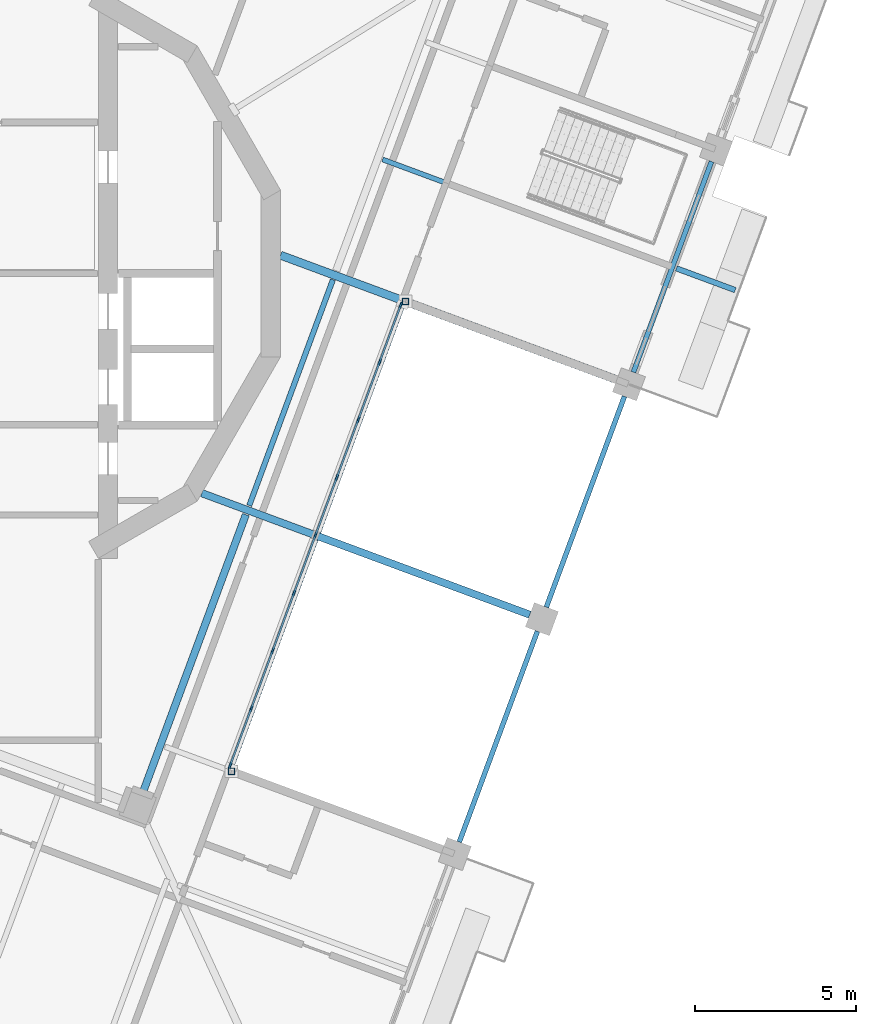
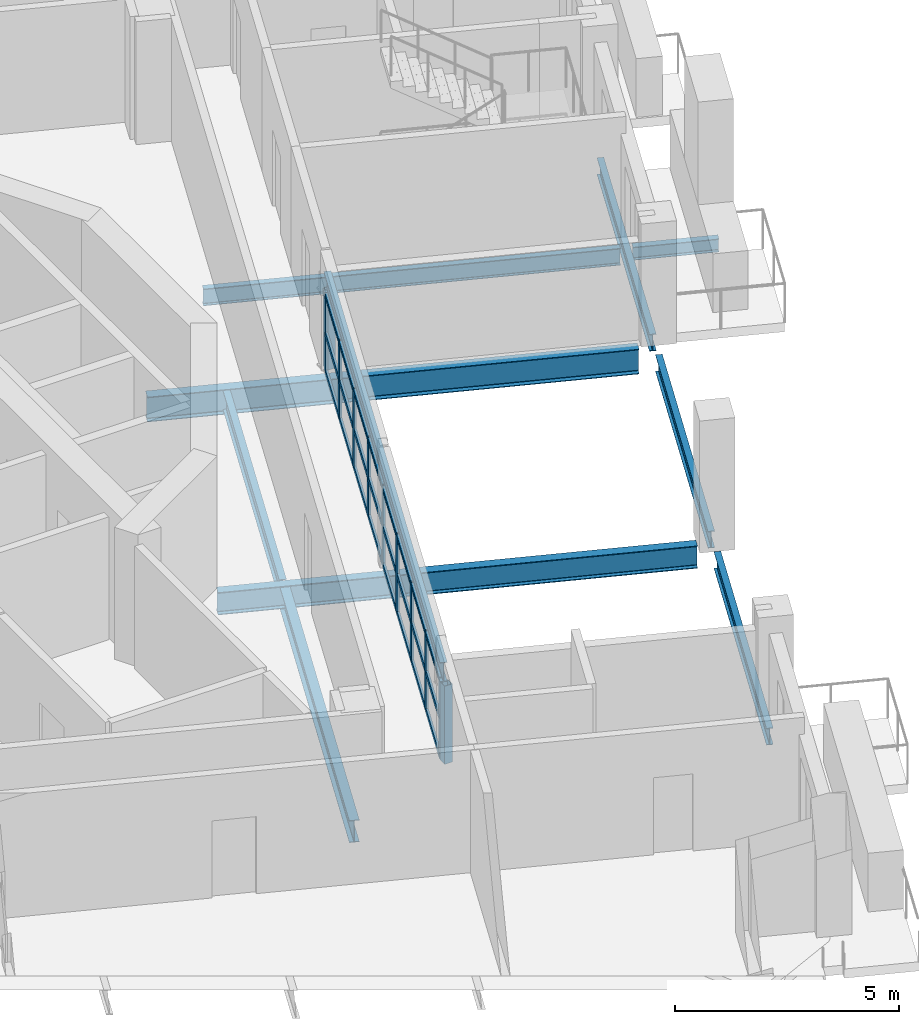
# One storey, part 2 of 19: 35 members, 10 beams, 1 element without a shape of its own.
"""IFC4 building model written with IfcOpenShell, lengths in metres."""

from ifc_helpers import new_model, si_unit, direction, frame, origin, origin_2d, place, context, subcontext, project, spatial, rectangle, hollow_rectangle, i_section, extrude, material, material_profile, profile_set, type_object, element, aggregate, save


model = new_model("IFC4")

# Units and contexts
model_context = context("Model", 3, precision=1e-05, world=origin(), true_north=direction((0.0, 1.0)))
body_context = subcontext(model_context, "Body", "Model", "MODEL_VIEW")
ifc_project = project(units=[si_unit("LENGTHUNIT", "METRE"), si_unit("AREAUNIT", "SQUARE_METRE"), si_unit("VOLUMEUNIT", "CUBIC_METRE"), si_unit("PLANEANGLEUNIT", "RADIAN"), si_unit("MASSUNIT", "GRAM", prefix="KILO")], contexts=[model_context])

# Site, building, storey
site_placement = place(None, origin())
site = spatial("IfcSite", under=ifc_project, at=site_placement, CompositionType="ELEMENT")
building_placement = place(site_placement, origin())
building = spatial("IfcBuilding", under=site, at=building_placement, Name="Cantera Rosa Tower", CompositionType="ELEMENT")
storey_placement = place(building_placement, frame((0.0, 0.0, 331.300048828125)))
storey = spatial("IfcBuildingStorey", under=building, at=storey_placement, Name="L74", CompositionType="ELEMENT", Elevation=331.300048828125)

# Curtain wall, members
ifc_material_1 = material(Name="Aluminium frame with clear glass", Category="aluminium")
curtain_wall_type = type_object("IfcCurtainWallType", Name="CW1 TERRACE POCKET GLAZING", PredefinedType="NOTDEFINED", material=ifc_material_1)
curtain_wall_placement = place(storey_placement, origin())
curtain_wall = element("IfcCurtainWall", 1, at=curtain_wall_placement, inside=storey, type_object=curtain_wall_type, Name="CW1 CW1", PredefinedType="NOTDEFINED")
ifc_material_2 = material(Name="Anodised bronze aluminium", Category="aluminium")
ifc_material_profile_1 = material_profile(ifc_material_2, rectangle(XDim=0.06005859375, YDim=0.179931640625, at=origin_2d()), Name="CW-MULLION 60x180 POCKET")
ifc_profile_set_1 = profile_set([ifc_material_profile_1], Name="Anodised bronze aluminium")
member_type_1 = type_object("IfcMemberType", Name="CW-MULLION 60x180 POCKET", PredefinedType="MULLION", material=ifc_profile_set_1)
member_1_placement = place(storey_placement, frame((8.094970703125, -15.280029296875, 0.0), z_axis=(0.0, 0.0, 1.0), x_axis=(-0.93768693693, 0.347481234472, 0.0)))
member_1 = element("IfcMember", 2, at=member_1_placement, type_object=member_type_1, Name="CW1 mullion 1", PredefinedType="MULLION", context=body_context, shape_type="SweptSolid", body=[
    extrude(rectangle(XDim=0.06005859375, YDim=0.179931640625, at=origin_2d()), origin(), (0.0, 0.0, 1.0), 2.1279296875),
])
member_2_placement = place(storey_placement, frame((8.74951171875, -13.513671875, 0.0), z_axis=(0.0, 0.0, 1.0), x_axis=(-0.93768693693, 0.347481234472, 0.0)))
member_2 = element("IfcMember", 3, at=member_2_placement, type_object=member_type_1, Name="CW1 mullion 2", PredefinedType="MULLION", context=body_context, shape_type="SweptSolid", body=[
    extrude(rectangle(XDim=0.06005859375, YDim=0.179931640625, at=origin_2d()), origin(), (0.0, 0.0, 1.0), 2.1279296875),
])
member_3_placement = place(storey_placement, frame((9.41455078125, -11.718994140625, 0.0), z_axis=(0.0, 0.0, 1.0), x_axis=(-0.93768693693, 0.347481234472, 0.0)))
member_3 = element("IfcMember", 4, at=member_3_placement, type_object=member_type_1, Name="CW1 mullion 3", PredefinedType="MULLION", context=body_context, shape_type="SweptSolid", body=[
    extrude(rectangle(XDim=0.06005859375, YDim=0.179931640625, at=origin_2d()), origin(), (0.0, 0.0, 1.0), 2.1279296875),
])
member_4_placement = place(storey_placement, frame((10.079345703125, -9.924560546875, 0.0), z_axis=(0.0, 0.0, 1.0), x_axis=(-0.93768693693, 0.347481234472, 0.0)))
member_4 = element("IfcMember", 5, at=member_4_placement, type_object=member_type_1, Name="CW1 mullion 4", PredefinedType="MULLION", context=body_context, shape_type="SweptSolid", body=[
    extrude(rectangle(XDim=0.06005859375, YDim=0.179931640625, at=origin_2d()), origin(), (0.0, 0.0, 1.0), 2.1279296875),
])
member_5_placement = place(storey_placement, frame((10.744384765625, -8.130126953125, 0.0), z_axis=(0.0, 0.0, 1.0), x_axis=(-0.93768693693, 0.347481234472, 0.0)))
member_5 = element("IfcMember", 6, at=member_5_placement, type_object=member_type_1, Name="CW1 mullion 5", PredefinedType="MULLION", context=body_context, shape_type="SweptSolid", body=[
    extrude(rectangle(XDim=0.06005859375, YDim=0.179931640625, at=origin_2d()), origin(), (0.0, 0.0, 1.0), 2.1279296875),
])
member_6_placement = place(storey_placement, frame((11.409423828125, -6.335693359375, 0.0), z_axis=(0.0, 0.0, 1.0), x_axis=(-0.93768693693, 0.347481234472, 0.0)))
member_6 = element("IfcMember", 7, at=member_6_placement, type_object=member_type_1, Name="CW1 mullion 6", PredefinedType="MULLION", context=body_context, shape_type="SweptSolid", body=[
    extrude(rectangle(XDim=0.06005859375, YDim=0.179931640625, at=origin_2d()), origin(), (0.0, 0.0, 1.0), 2.1279296875),
])
member_7_placement = place(storey_placement, frame((12.074462890625, -4.541015625, 0.0), z_axis=(0.0, 0.0, 1.0), x_axis=(-0.93768693693, 0.347481234472, 0.0)))
member_7 = element("IfcMember", 8, at=member_7_placement, type_object=member_type_1, Name="CW1 mullion 7", PredefinedType="MULLION", context=body_context, shape_type="SweptSolid", body=[
    extrude(rectangle(XDim=0.06005859375, YDim=0.179931640625, at=origin_2d()), origin(), (0.0, 0.0, 1.0), 2.1279296875),
])
member_8_placement = place(storey_placement, frame((12.739501953125, -2.74658203125, 0.0), z_axis=(0.0, 0.0, 1.0), x_axis=(-0.93768693693, 0.347481234472, 0.0)))
member_8 = element("IfcMember", 9, at=member_8_placement, type_object=member_type_1, Name="CW1 mullion 8", PredefinedType="MULLION", context=body_context, shape_type="SweptSolid", body=[
    extrude(rectangle(XDim=0.06005859375, YDim=0.179931640625, at=origin_2d()), origin(), (0.0, 0.0, 1.0), 2.1279296875),
])
member_9_placement = place(storey_placement, frame((13.39404296875, -0.980224609375, 0.0), z_axis=(0.0, 0.0, 1.0), x_axis=(-0.93768693693, 0.347481234472, 0.0)))
member_9 = element("IfcMember", 10, at=member_9_placement, type_object=member_type_1, Name="CW1 mullion 9", PredefinedType="MULLION", context=body_context, shape_type="SweptSolid", body=[
    extrude(rectangle(XDim=0.06005859375, YDim=0.179931640625, at=origin_2d()), origin(), (0.0, 0.0, 1.0), 2.1279296875),
])
ifc_material_3 = material(Name="Anodised bronze aluminium", Category="aluminium")
ifc_material_profile_2 = material_profile(ifc_material_3, rectangle(XDim=0.06005859375, YDim=0.139892578125, at=origin_2d()), Name="CW-TRANSOM 60x140 POCKET")
ifc_profile_set_2 = profile_set([ifc_material_profile_2], Name="Anodised bronze aluminium")
member_type_2 = type_object("IfcMemberType", Name="CW-TRANSOM 60x140 POCKET", PredefinedType="USERDEFINED", material=ifc_profile_set_2)
member_10_placement = place(storey_placement, frame((8.105224609375, -15.251953125, 0.030029296875), z_axis=(0.347497456421, 0.937680925358, 0.0), x_axis=(-0.937680925358, 0.347497456421, 0.0)))
member_10 = element("IfcMember", 11, at=member_10_placement, type_object=member_type_2, Name="CW1 transom 1.1", ObjectType="TRANSOM", PredefinedType="USERDEFINED", context=body_context, shape_type="SweptSolid", body=[
    extrude(rectangle(XDim=0.06005859375, YDim=0.139892578125, at=origin_2d()), origin(), (0.0, 0.0, 1.0), 1.823974609375),
])
member_11_placement = place(storey_placement, frame((8.105224609375, -15.251953125, 1.06396484375), z_axis=(0.347497456421, 0.937680925358, 0.0), x_axis=(-0.937680925358, 0.347497456421, 0.0)))
member_11 = element("IfcMember", 12, at=member_11_placement, type_object=member_type_2, Name="CW1 transom 1.2", ObjectType="TRANSOM", PredefinedType="USERDEFINED", context=body_context, shape_type="SweptSolid", body=[
    extrude(rectangle(XDim=0.06005859375, YDim=0.139892578125, at=origin_2d()), origin(), (0.0, 0.0, 1.0), 1.823974609375),
])
member_12_placement = place(storey_placement, frame((8.105224609375, -15.251953125, 2.097900390625), z_axis=(0.347497456421, 0.937680925358, 0.0), x_axis=(-0.937680925358, 0.347497456421, 0.0)))
member_12 = element("IfcMember", 13, at=member_12_placement, type_object=member_type_2, Name="CW1 transom 1.3", ObjectType="TRANSOM", PredefinedType="USERDEFINED", context=body_context, shape_type="SweptSolid", body=[
    extrude(rectangle(XDim=0.06005859375, YDim=0.139892578125, at=origin_2d()), origin(), (0.0, 0.0, 1.0), 1.823974609375),
])
member_13_placement = place(storey_placement, frame((8.760009765625, -13.485595703125, 0.030029296875), z_axis=(0.347425877782, 0.937707448753, 0.0), x_axis=(-0.937707448753, 0.347425877782, 0.0)))
member_13 = element("IfcMember", 14, at=member_13_placement, type_object=member_type_2, Name="CW1 transom 2.1", ObjectType="TRANSOM", PredefinedType="USERDEFINED", context=body_context, shape_type="SweptSolid", body=[
    extrude(rectangle(XDim=0.06005859375, YDim=0.139892578125, at=origin_2d()), origin(), (0.0, 0.0, 1.0), 1.853759765625),
])
member_14_placement = place(storey_placement, frame((8.760009765625, -13.485595703125, 1.06396484375), z_axis=(0.347425877782, 0.937707448753, 0.0), x_axis=(-0.937707448753, 0.347425877782, 0.0)))
member_14 = element("IfcMember", 15, at=member_14_placement, type_object=member_type_2, Name="CW1 transom 2.2", ObjectType="TRANSOM", PredefinedType="USERDEFINED", context=body_context, shape_type="SweptSolid", body=[
    extrude(rectangle(XDim=0.06005859375, YDim=0.139892578125, at=origin_2d()), origin(), (0.0, 0.0, 1.0), 1.853759765625),
])
member_15_placement = place(storey_placement, frame((8.760009765625, -13.485595703125, 2.097900390625), z_axis=(0.347425877782, 0.937707448753, 0.0), x_axis=(-0.937707448753, 0.347425877782, 0.0)))
member_15 = element("IfcMember", 16, at=member_15_placement, type_object=member_type_2, Name="CW1 transom 2.3", ObjectType="TRANSOM", PredefinedType="USERDEFINED", context=body_context, shape_type="SweptSolid", body=[
    extrude(rectangle(XDim=0.06005859375, YDim=0.139892578125, at=origin_2d()), origin(), (0.0, 0.0, 1.0), 1.853759765625),
])
member_16_placement = place(storey_placement, frame((9.4248046875, -11.69091796875, 0.030029296875), z_axis=(0.347541673446, 0.937664537678, 0.0), x_axis=(-0.937664537678, 0.347541673446, 0.0)))
member_16 = element("IfcMember", 17, at=member_16_placement, type_object=member_type_2, Name="CW1 transom 3.1", ObjectType="TRANSOM", PredefinedType="USERDEFINED", context=body_context, shape_type="SweptSolid", body=[
    extrude(rectangle(XDim=0.06005859375, YDim=0.139892578125, at=origin_2d()), origin(), (0.0, 0.0, 1.0), 1.853759765625),
])
member_17_placement = place(storey_placement, frame((9.4248046875, -11.69091796875, 1.06396484375), z_axis=(0.347541673446, 0.937664537678, 0.0), x_axis=(-0.937664537678, 0.347541673446, 0.0)))
member_17 = element("IfcMember", 18, at=member_17_placement, type_object=member_type_2, Name="CW1 transom 3.2", ObjectType="TRANSOM", PredefinedType="USERDEFINED", context=body_context, shape_type="SweptSolid", body=[
    extrude(rectangle(XDim=0.06005859375, YDim=0.139892578125, at=origin_2d()), origin(), (0.0, 0.0, 1.0), 1.853759765625),
])
member_18_placement = place(storey_placement, frame((9.4248046875, -11.69091796875, 2.097900390625), z_axis=(0.347541673446, 0.937664537678, 0.0), x_axis=(-0.937664537678, 0.347541673446, 0.0)))
member_18 = element("IfcMember", 19, at=member_18_placement, type_object=member_type_2, Name="CW1 transom 3.3", ObjectType="TRANSOM", PredefinedType="USERDEFINED", context=body_context, shape_type="SweptSolid", body=[
    extrude(rectangle(XDim=0.06005859375, YDim=0.139892578125, at=origin_2d()), origin(), (0.0, 0.0, 1.0), 1.853759765625),
])
member_19_placement = place(storey_placement, frame((10.08984375, -9.896484375, 0.030029296875), z_axis=(0.347541673446, 0.937664537678, 0.0), x_axis=(-0.937664537678, 0.347541673446, 0.0)))
member_19 = element("IfcMember", 20, at=member_19_placement, type_object=member_type_2, Name="CW1 transom 4.1", ObjectType="TRANSOM", PredefinedType="USERDEFINED", context=body_context, shape_type="SweptSolid", body=[
    extrude(rectangle(XDim=0.06005859375, YDim=0.139892578125, at=origin_2d()), origin(), (0.0, 0.0, 1.0), 1.853759765625),
])
member_20_placement = place(storey_placement, frame((10.08984375, -9.896484375, 1.06396484375), z_axis=(0.347541673446, 0.937664537678, 0.0), x_axis=(-0.937664537678, 0.347541673446, 0.0)))
member_20 = element("IfcMember", 21, at=member_20_placement, type_object=member_type_2, Name="CW1 transom 4.2", ObjectType="TRANSOM", PredefinedType="USERDEFINED", context=body_context, shape_type="SweptSolid", body=[
    extrude(rectangle(XDim=0.06005859375, YDim=0.139892578125, at=origin_2d()), origin(), (0.0, 0.0, 1.0), 1.853759765625),
])
member_21_placement = place(storey_placement, frame((10.08984375, -9.896484375, 2.097900390625), z_axis=(0.347541673446, 0.937664537678, 0.0), x_axis=(-0.937664537678, 0.347541673446, 0.0)))
member_21 = element("IfcMember", 22, at=member_21_placement, type_object=member_type_2, Name="CW1 transom 4.3", ObjectType="TRANSOM", PredefinedType="USERDEFINED", context=body_context, shape_type="SweptSolid", body=[
    extrude(rectangle(XDim=0.06005859375, YDim=0.139892578125, at=origin_2d()), origin(), (0.0, 0.0, 1.0), 1.853759765625),
])
member_22_placement = place(storey_placement, frame((10.7548828125, -8.10205078125, 0.030029296875), z_axis=(0.347425877782, 0.937707448753, 0.0), x_axis=(-0.937707448753, 0.347425877782, 0.0)))
member_22 = element("IfcMember", 23, at=member_22_placement, type_object=member_type_2, Name="CW1 transom 5.1", ObjectType="TRANSOM", PredefinedType="USERDEFINED", context=body_context, shape_type="SweptSolid", body=[
    extrude(rectangle(XDim=0.06005859375, YDim=0.139892578125, at=origin_2d()), origin(), (0.0, 0.0, 1.0), 1.853759765625),
])
member_23_placement = place(storey_placement, frame((10.7548828125, -8.10205078125, 1.06396484375), z_axis=(0.347425877782, 0.937707448753, 0.0), x_axis=(-0.937707448753, 0.347425877782, 0.0)))
member_23 = element("IfcMember", 24, at=member_23_placement, type_object=member_type_2, Name="CW1 transom 5.2", ObjectType="TRANSOM", PredefinedType="USERDEFINED", context=body_context, shape_type="SweptSolid", body=[
    extrude(rectangle(XDim=0.06005859375, YDim=0.139892578125, at=origin_2d()), origin(), (0.0, 0.0, 1.0), 1.853759765625),
])
member_24_placement = place(storey_placement, frame((10.7548828125, -8.10205078125, 2.097900390625), z_axis=(0.347425877782, 0.937707448753, 0.0), x_axis=(-0.937707448753, 0.347425877782, 0.0)))
member_24 = element("IfcMember", 25, at=member_24_placement, type_object=member_type_2, Name="CW1 transom 5.3", ObjectType="TRANSOM", PredefinedType="USERDEFINED", context=body_context, shape_type="SweptSolid", body=[
    extrude(rectangle(XDim=0.06005859375, YDim=0.139892578125, at=origin_2d()), origin(), (0.0, 0.0, 1.0), 1.853759765625),
])
member_25_placement = place(storey_placement, frame((11.419921875, -6.307373046875, 0.030029296875), z_axis=(0.347468788607, 0.937691548935, 0.0), x_axis=(-0.937691548935, 0.347468788607, 0.0)))
member_25 = element("IfcMember", 26, at=member_25_placement, type_object=member_type_2, Name="CW1 transom 6.1", ObjectType="TRANSOM", PredefinedType="USERDEFINED", context=body_context, shape_type="SweptSolid", body=[
    extrude(rectangle(XDim=0.06005859375, YDim=0.139892578125, at=origin_2d()), origin(), (0.0, 0.0, 1.0), 1.853515625),
])
member_26_placement = place(storey_placement, frame((11.419921875, -6.307373046875, 1.06396484375), z_axis=(0.347468788607, 0.937691548935, 0.0), x_axis=(-0.937691548935, 0.347468788607, 0.0)))
member_26 = element("IfcMember", 27, at=member_26_placement, type_object=member_type_2, Name="CW1 transom 6.2", ObjectType="TRANSOM", PredefinedType="USERDEFINED", context=body_context, shape_type="SweptSolid", body=[
    extrude(rectangle(XDim=0.06005859375, YDim=0.139892578125, at=origin_2d()), origin(), (0.0, 0.0, 1.0), 1.853515625),
])
member_27_placement = place(storey_placement, frame((11.419921875, -6.307373046875, 2.097900390625), z_axis=(0.347468788607, 0.937691548935, 0.0), x_axis=(-0.937691548935, 0.347468788607, 0.0)))
member_27 = element("IfcMember", 28, at=member_27_placement, type_object=member_type_2, Name="CW1 transom 6.3", ObjectType="TRANSOM", PredefinedType="USERDEFINED", context=body_context, shape_type="SweptSolid", body=[
    extrude(rectangle(XDim=0.06005859375, YDim=0.139892578125, at=origin_2d()), origin(), (0.0, 0.0, 1.0), 1.853515625),
])
member_28_placement = place(storey_placement, frame((12.0849609375, -4.512939453125, 0.030029296875), z_axis=(0.347425877782, 0.937707448753, 0.0), x_axis=(-0.937707448753, 0.347425877782, 0.0)))
member_28 = element("IfcMember", 29, at=member_28_placement, type_object=member_type_2, Name="CW1 transom 7.1", ObjectType="TRANSOM", PredefinedType="USERDEFINED", context=body_context, shape_type="SweptSolid", body=[
    extrude(rectangle(XDim=0.06005859375, YDim=0.139892578125, at=origin_2d()), origin(), (0.0, 0.0, 1.0), 1.853759765625),
])
member_29_placement = place(storey_placement, frame((12.0849609375, -4.512939453125, 1.06396484375), z_axis=(0.347425877782, 0.937707448753, 0.0), x_axis=(-0.937707448753, 0.347425877782, 0.0)))
member_29 = element("IfcMember", 30, at=member_29_placement, type_object=member_type_2, Name="CW1 transom 7.2", ObjectType="TRANSOM", PredefinedType="USERDEFINED", context=body_context, shape_type="SweptSolid", body=[
    extrude(rectangle(XDim=0.06005859375, YDim=0.139892578125, at=origin_2d()), origin(), (0.0, 0.0, 1.0), 1.853759765625),
])
member_30_placement = place(storey_placement, frame((12.0849609375, -4.512939453125, 2.097900390625), z_axis=(0.347425877782, 0.937707448753, 0.0), x_axis=(-0.937707448753, 0.347425877782, 0.0)))
member_30 = element("IfcMember", 31, at=member_30_placement, type_object=member_type_2, Name="CW1 transom 7.3", ObjectType="TRANSOM", PredefinedType="USERDEFINED", context=body_context, shape_type="SweptSolid", body=[
    extrude(rectangle(XDim=0.06005859375, YDim=0.139892578125, at=origin_2d()), origin(), (0.0, 0.0, 1.0), 1.853759765625),
])
member_31_placement = place(storey_placement, frame((12.749755859375, -2.718505859375, 0.030029296875), z_axis=(0.347497456421, 0.937680925358, 0.0), x_axis=(-0.937680925358, 0.347497456421, 0.0)))
member_31 = element("IfcMember", 32, at=member_31_placement, type_object=member_type_2, Name="CW1 transom 8.1", ObjectType="TRANSOM", PredefinedType="USERDEFINED", context=body_context, shape_type="SweptSolid", body=[
    extrude(rectangle(XDim=0.06005859375, YDim=0.139892578125, at=origin_2d()), origin(), (0.0, 0.0, 1.0), 1.823974609375),
])
member_32_placement = place(storey_placement, frame((12.749755859375, -2.718505859375, 1.06396484375), z_axis=(0.347497456421, 0.937680925358, 0.0), x_axis=(-0.937680925358, 0.347497456421, 0.0)))
member_32 = element("IfcMember", 33, at=member_32_placement, type_object=member_type_2, Name="CW1 transom 8.2", ObjectType="TRANSOM", PredefinedType="USERDEFINED", context=body_context, shape_type="SweptSolid", body=[
    extrude(rectangle(XDim=0.06005859375, YDim=0.139892578125, at=origin_2d()), origin(), (0.0, 0.0, 1.0), 1.823974609375),
])
member_33_placement = place(storey_placement, frame((12.749755859375, -2.718505859375, 2.097900390625), z_axis=(0.347497456421, 0.937680925358, 0.0), x_axis=(-0.937680925358, 0.347497456421, 0.0)))
member_33 = element("IfcMember", 34, at=member_33_placement, type_object=member_type_2, Name="CW1 transom 8.3", ObjectType="TRANSOM", PredefinedType="USERDEFINED", context=body_context, shape_type="SweptSolid", body=[
    extrude(rectangle(XDim=0.06005859375, YDim=0.139892578125, at=origin_2d()), origin(), (0.0, 0.0, 1.0), 1.823974609375),
])
aggregate(curtain_wall, [member_1, member_2, member_3, member_4, member_5, member_6, member_7, member_8, member_9, member_10, member_11, member_12, member_13, member_14, member_15, member_16, member_17, member_18, member_19, member_20, member_21, member_22, member_23, member_24, member_25, member_26, member_27, member_28, member_29, member_30, member_31, member_32, member_33])

# Members
ifc_material_4 = material(Name="Steel ASTM A992 (Fy 345 MPa)", Category="steel")
ifc_material_profile_3 = material_profile(ifc_material_4, hollow_rectangle(XDim=0.199951171875, YDim=0.199951171875, WallThickness=0.010009765625, at=origin_2d()), Name="LINTEL POST RHS 200x200x10")
ifc_profile_set_3 = profile_set([ifc_material_profile_3], Name="Steel ASTM A992 (Fy 345 MPa)")
member_type_3 = type_object("IfcMemberType", Name="LINTEL POST RHS 200x200x10", PredefinedType="USERDEFINED", material=ifc_profile_set_3)
for number, where, z_axis, x_axis, name in (
    (35, (8.134765625, -15.460205078125, 0.0), (0.0, 0.0, 1.0), (1.0, 0.0, 0.0), "LINTEL POST L74-1"),
    (36, (13.54150390625, -0.86962890625, 0.0), (0.0, 0.0, 1.0), (1.0, 0.0, 0.0), "LINTEL POST L74-2"),
):
    element("IfcMember", number, at=place(storey_placement, frame(where, z_axis=z_axis, x_axis=x_axis)), inside=storey, type_object=member_type_3, Name=name, ObjectType="LINTEL POST", PredefinedType="USERDEFINED", context=body_context, shape_type="SweptSolid", body=[
        extrude(hollow_rectangle(XDim=0.199951171875, YDim=0.199951171875, WallThickness=0.010009765625, at=origin_2d()), origin(), (0.0, 0.0, 1.0), 2.1298828125),
    ])

# Beams
ifc_material_5 = material(Name="Steel ASTM A992 (Fy 345 MPa)", Category="steel")
ifc_material_profile_4 = material_profile(ifc_material_5, i_section(OverallWidth=0.166015625, OverallDepth=0.528076171875, WebThickness=0.009765625, FlangeThickness=0.013671875, FilletRadius=0.0126953125, at=origin_2d()), Name="W530X74")
ifc_profile_set_4 = profile_set([ifc_material_profile_4], Name="Steel ASTM A992 (Fy 345 MPa)")
beam_type_1 = type_object("IfcBeamType", Name="STEEL BEAM W530X74", PredefinedType="BEAM", material=ifc_profile_set_4)
beam_1_placement = place(storey_placement, frame((8.686767578125, -7.20751953125, -0.51416015625), z_axis=(0.347486566882, 0.937684960867, 0.0), x_axis=(-0.937684960867, 0.347486566882, 0.0)))
element("IfcBeam", 37, at=beam_1_placement, inside=storey, type_object=beam_type_1, Name="RB-Z6-05 L74", PredefinedType="BEAM", context=body_context, shape_type="SweptSolid", body=[
    extrude(i_section(OverallWidth=0.166015625, OverallDepth=0.528076171875, WebThickness=0.009765625, FlangeThickness=0.013671875, FilletRadius=0.0126953125, at=origin_2d()), origin(), (0.0, 0.0, 1.0), 7.479736328125),
])
beam_2_placement = place(storey_placement, frame((8.105224609375, -15.395751953125, 2.39404296875), z_axis=(0.347483050197, 0.93768626407, 0.0), x_axis=(-0.93768626407, 0.347483050197, 0.0)))
element("IfcBeam", 38, at=beam_2_placement, inside=storey, type_object=beam_type_1, Name="LINTEL SL-L74", PredefinedType="BEAM", context=body_context, shape_type="SweptSolid", body=[
    extrude(i_section(OverallWidth=0.166015625, OverallDepth=0.528076171875, WebThickness=0.009765625, FlangeThickness=0.013671875, FilletRadius=0.0126953125, at=origin_2d()), origin(), (0.0, 0.0, 1.0), 15.4599609375),
])
ifc_material_6 = material(Name="Steel ASTM A992 (Fy 345 MPa)", Category="steel")
ifc_material_profile_5 = material_profile(ifc_material_6, i_section(OverallWidth=0.22802734375, OverallDepth=0.60205078125, WebThickness=0.010498046875, FlangeThickness=0.014892578125, FilletRadius=0.0126953125, at=origin_2d()), Name="W610X101")
ifc_profile_set_5 = profile_set([ifc_material_profile_5], Name="Steel ASTM A992 (Fy 345 MPa)")
beam_type_2 = type_object("IfcBeamType", Name="STEEL BEAM W610X101", PredefinedType="BEAM", material=ifc_profile_set_5)
beam_3_placement = place(storey_placement, frame((5.38232421875, -16.125, -0.551025390625), z_axis=(0.347474937304, 0.937689270465, 0.0), x_axis=(-0.937689270465, 0.347474937304, 0.0)))
element("IfcBeam", 39, at=beam_3_placement, inside=storey, type_object=beam_type_2, Name="RB-Z6-04 L74", PredefinedType="BEAM", context=body_context, shape_type="SweptSolid", body=[
    extrude(i_section(OverallWidth=0.22802734375, OverallDepth=0.60205078125, WebThickness=0.010498046875, FlangeThickness=0.014892578125, FilletRadius=0.0126953125, at=origin_2d()), origin(), (0.0, 0.0, 1.0), 9.2099609375),
])
ifc_material_7 = material(Name="Steel ASTM A992 (Fy 345 MPa)", Category="steel")
ifc_material_profile_6 = material_profile(ifc_material_7, i_section(OverallWidth=0.22900390625, OverallDepth=0.612060546875, WebThickness=0.011962890625, FlangeThickness=0.01953125, FilletRadius=0.0126953125, at=origin_2d()), Name="W610X125")
ifc_profile_set_6 = profile_set([ifc_material_profile_6], Name="Steel ASTM A992 (Fy 345 MPa)")
beam_type_3 = type_object("IfcBeamType", Name="STEEL BEAM W610X125", PredefinedType="BEAM", material=ifc_profile_set_6)
beam_4_placement = place(storey_placement, frame((17.402099609375, -10.59716796875, -0.55615234375), z_axis=(-0.937686127687, 0.347483418229, 0.0), x_axis=(-0.347483418229, -0.937686127687, 0.0)))
element("IfcBeam", 40, at=beam_4_placement, inside=storey, type_object=beam_type_3, Name="G-Z6-09 L74", PredefinedType="BEAM", context=body_context, shape_type="SweptSolid", body=[
    extrude(i_section(OverallWidth=0.22900390625, OverallDepth=0.612060546875, WebThickness=0.011962890625, FlangeThickness=0.01953125, FilletRadius=0.0126953125, at=origin_2d()), origin(), (0.0, 0.0, 1.0), 10.8642578125),
])
ifc_material_8 = material(Name="Steel ASTM A992 (Fy 345 MPa)", Category="steel")
ifc_material_profile_7 = material_profile(ifc_material_8, i_section(OverallWidth=0.25390625, OverallDepth=0.677978515625, WebThickness=0.01171875, FlangeThickness=0.016357421875, FilletRadius=0.01513671875, at=origin_2d()), Name="W690X125")
ifc_profile_set_7 = profile_set([ifc_material_profile_7], Name="Steel ASTM A992 (Fy 345 MPa)")
beam_type_4 = type_object("IfcBeamType", Name="STEEL BEAM W690X125", PredefinedType="BEAM", material=ifc_profile_set_7)
beam_5_placement = place(storey_placement, frame((20.10546875, -3.302001953125, -0.589111328125), z_axis=(-0.937687416585, 0.347479940109, 0.0), x_axis=(-0.347479940109, -0.937687416585, 0.0)))
element("IfcBeam", 41, at=beam_5_placement, inside=storey, type_object=beam_type_4, Name="G-Z6-10 L74", PredefinedType="BEAM", context=body_context, shape_type="SweptSolid", body=[
    extrude(i_section(OverallWidth=0.25390625, OverallDepth=0.677978515625, WebThickness=0.01171875, FlangeThickness=0.016357421875, FilletRadius=0.01513671875, at=origin_2d()), origin(), (0.0, 0.0, 1.0), 11.140380859375),
])
ifc_material_9 = material(Name="Steel ASTM A992 (Fy 345 MPa)", Category="steel")
ifc_material_profile_8 = material_profile(ifc_material_9, i_section(OverallWidth=0.1708984375, OverallDepth=0.35595703125, WebThickness=0.00732421875, FlangeThickness=0.01171875, FilletRadius=0.010009765625, at=origin_2d()), Name="W360X51")
ifc_profile_set_8 = profile_set([ifc_material_profile_8], Name="Steel ASTM A992 (Fy 345 MPa)")
beam_type_5 = type_object("IfcBeamType", Name="STEEL JOIST W360X51", PredefinedType="JOIST", material=ifc_profile_set_8)
beam_6_placement = place(storey_placement, frame((21.9541015625, 0.161376953125, -0.427978515625), z_axis=(0.937685327158, -0.347485578453, 0.0), x_axis=(0.347485578453, 0.937685327158, 0.0)))
element("IfcBeam", 42, at=beam_6_placement, inside=storey, type_object=beam_type_5, Name="BS-Z6-04 L74", PredefinedType="JOIST", context=body_context, shape_type="SweptSolid", body=[
    extrude(i_section(OverallWidth=0.1708984375, OverallDepth=0.35595703125, WebThickness=0.00732421875, FlangeThickness=0.01171875, FilletRadius=0.010009765625, at=origin_2d()), origin(), (0.0, 0.0, 1.0), 1.950439453125),
])
ifc_material_10 = material(Name="Steel ASTM A992 (Fy 345 MPa)", Category="steel")
ifc_material_profile_9 = material_profile(ifc_material_10, i_section(OverallWidth=0.154052734375, OverallDepth=0.4599609375, WebThickness=0.009033203125, FlangeThickness=0.015380859375, FilletRadius=0.01025390625, at=origin_2d()), Name="W460X68")
ifc_profile_set_9 = profile_set([ifc_material_profile_9], Name="Steel ASTM A992 (Fy 345 MPa)")
beam_type_6 = type_object("IfcBeamType", Name="STEEL JOIST W460X68", PredefinedType="JOIST", material=ifc_profile_set_9)
beam_7_placement = place(storey_placement, frame((21.691650390625, 0.2587890625, -0.47998046875), z_axis=(-0.937689536508, 0.347474219364, 0.0), x_axis=(-0.347474219364, -0.937689536508, 0.0)))
element("IfcBeam", 43, at=beam_7_placement, inside=storey, type_object=beam_type_6, Name="B-Z6-13 L74", PredefinedType="JOIST", context=body_context, shape_type="SweptSolid", body=[
    extrude(i_section(OverallWidth=0.154052734375, OverallDepth=0.4599609375, WebThickness=0.009033203125, FlangeThickness=0.015380859375, FilletRadius=0.01025390625, at=origin_2d()), origin(), (0.0, 0.0, 1.0), 9.4501953125),
])
ifc_material_11 = material(Name="Steel ASTM A992 (Fy 345 MPa)", Category="steel")
ifc_material_profile_10 = material_profile(ifc_material_11, i_section(OverallWidth=0.154052734375, OverallDepth=0.4599609375, WebThickness=0.009033203125, FlangeThickness=0.015380859375, FilletRadius=0.01025390625, at=origin_2d()), Name="W460X68")
ifc_profile_set_10 = profile_set([ifc_material_profile_10], Name="Steel ASTM A992 (Fy 345 MPa)")
beam_type_7 = type_object("IfcBeamType", Name="STEEL SPANDREL BEAM W460X68", PredefinedType="SPANDREL", material=ifc_profile_set_10)
for number, where, z_axis, x_axis, name in (
    (44, (15.212646484375, -17.65625, -0.47998046875), (0.347502316452, 0.937679124253, 0.0), (-0.937679124253, 0.347502316452, 0.0), "EB-Z6-21 L74"),
    (45, (17.916015625, -10.361083984375, -0.47998046875), (0.347502316452, 0.937679124253, 0.0), (-0.937679124253, 0.347502316452, 0.0), "EB-Z6-22 L74"),
):
    element("IfcBeam", number, at=place(storey_placement, frame(where, z_axis=z_axis, x_axis=x_axis)), inside=storey, type_object=beam_type_7, Name=name, PredefinedType="SPANDREL", context=body_context, shape_type="SweptSolid", body=[
        extrude(i_section(OverallWidth=0.154052734375, OverallDepth=0.4599609375, WebThickness=0.009033203125, FlangeThickness=0.015380859375, FilletRadius=0.01025390625, at=origin_2d()), origin(), (0.0, 0.0, 1.0), 6.97998046875),
    ])
beam_8_placement = place(storey_placement, frame((20.61962890625, -3.06591796875, -0.47998046875), z_axis=(0.347471562124, 0.937690521182, 0.0), x_axis=(-0.937690521182, 0.347471562124, 0.0)))
element("IfcBeam", 46, at=beam_8_placement, inside=storey, type_object=beam_type_7, Name="EB-Z6-23 L74", PredefinedType="SPANDREL", context=body_context, shape_type="SweptSolid", body=[
    extrude(i_section(OverallWidth=0.154052734375, OverallDepth=0.4599609375, WebThickness=0.009033203125, FlangeThickness=0.015380859375, FilletRadius=0.01025390625, at=origin_2d()), origin(), (0.0, 0.0, 1.0), 6.979736328125),
])

save(model, "model.ifc")
